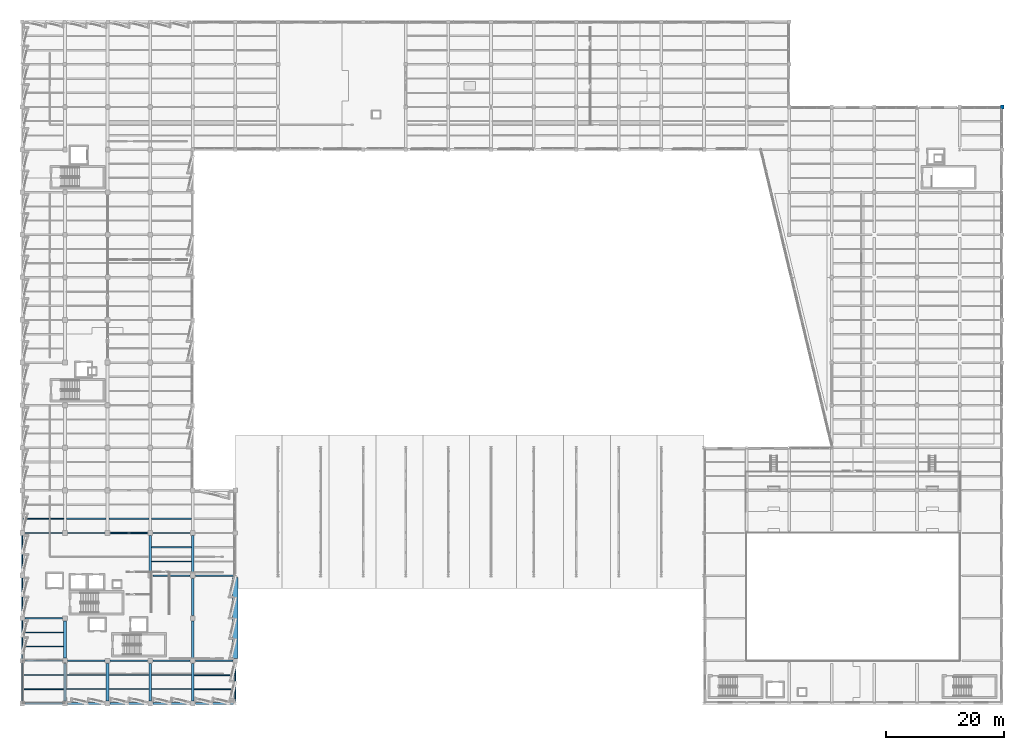
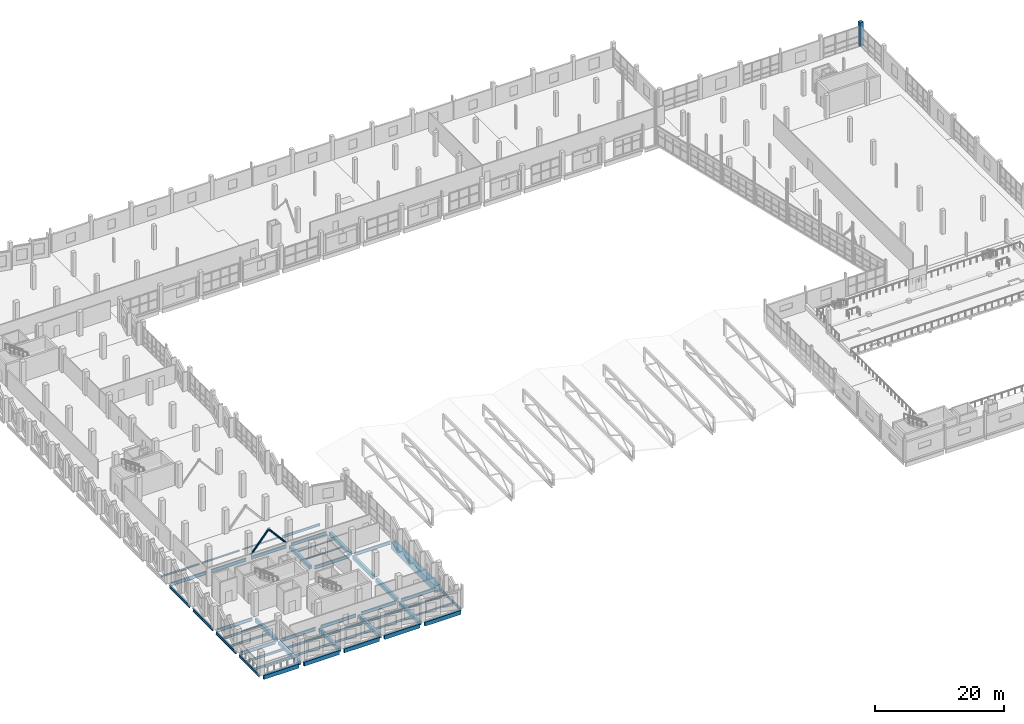
# One storey, part 25 of 123: 50 beams, 2 members, 1 column.
"""IFC4 building model written with IfcOpenShell, lengths in metres."""

from ifc_helpers import new_model, si_unit, direction, frame, origin, origin_2d, place, context, subcontext, project, spatial, rectangle, hollow_circle, i_section, extrude, material, material_profile, profile_set, type_object, element, save


model = new_model("IFC4")

# Units and contexts
model_context = context("Model", 3, precision=1e-05, world=origin(), true_north=direction((0.0, 1.0)))
body_context = subcontext(model_context, "Body", "Model", "MODEL_VIEW")
ifc_project = project(units=[si_unit("LENGTHUNIT", "METRE"), si_unit("AREAUNIT", "SQUARE_METRE"), si_unit("VOLUMEUNIT", "CUBIC_METRE"), si_unit("PLANEANGLEUNIT", "RADIAN"), si_unit("MASSUNIT", "GRAM", prefix="KILO")], contexts=[model_context])

# Site, building, storey
site_placement = place(None, origin())
site = spatial("IfcSite", under=ifc_project, at=site_placement, CompositionType="ELEMENT")
building_placement = place(site_placement, origin())
building = spatial("IfcBuilding", under=site, at=building_placement, Name="Kalmorath City Hall", CompositionType="ELEMENT")
storey_placement = place(building_placement, frame((0.0, 0.0, 10.199951171875)))
storey = spatial("IfcBuildingStorey", under=building, at=storey_placement, Name="L02", CompositionType="ELEMENT", Elevation=10.199951171875)

# Column
ifc_material_1 = material(Name="Concrete C50/60", Category="concrete")
ifc_material_profile_1 = material_profile(ifc_material_1, rectangle(XDim=0.60009765625, YDim=0.60009765625, at=origin_2d()), Name="RC-COL-600X600")
ifc_profile_set_1 = profile_set([ifc_material_profile_1], Name="Concrete C50/60")
column_type = type_object("IfcColumnType", Name="Concrete column 600x600", PredefinedType="COLUMN", material=ifc_profile_set_1)
column_placement = place(storey_placement, frame((165.60009765625, 100.800048828125, 0.0), z_axis=(0.0, 0.0, 1.0), x_axis=(1.0, 0.0, 0.0)))
element("IfcColumn", 1, at=column_placement, inside=storey, type_object=column_type, Name="L02 column C6 (24/15)", PredefinedType="COLUMN", context=body_context, shape_type="SweptSolid", body=[
    extrude(rectangle(XDim=0.60009765625, YDim=0.60009765625, at=origin_2d()), origin(), (0.0, 0.0, 1.0), 4.5),
])

# Beams
ifc_material_2 = material(Name="Concrete C40/50", Category="concrete")
ifc_material_profile_2 = material_profile(ifc_material_2, rectangle(XDim=0.449951171875, YDim=0.699951171875, at=origin_2d()), Name="RC-BM-450X700")
ifc_profile_set_2 = profile_set([ifc_material_profile_2], Name="Concrete C40/50")
beam_type_1 = type_object("IfcBeamType", Name="Concrete floor beam 450x700", PredefinedType="BEAM", material=ifc_profile_set_2)
for number, where, z_axis, x_axis, name in (
    (2, (7.199951171875, 0.449951171875, -0.634033203125), (0.0, 1.0, 0.0), (-1.0, 0.0, 0.0), "L02 girder CB4 Y2/1-2"),
    (3, (7.199951171875, 7.64990234375, -0.634033203125), (0.0, 1.0, 0.0), (-1.0, 0.0, 0.0), "L02 girder CB4 Y2/2-3"),
    (4, (14.39990234375, 0.449951171875, -0.634033203125), (0.0, 1.0, 0.0), (-1.0, 0.0, 0.0), "L02 girder CB4 Y3/1-2"),
    (5, (21.60009765625, 0.449951171875, -0.634033203125), (0.0, 1.0, 0.0), (-1.0, 0.0, 0.0), "L02 girder CB4 Y4/1-2"),
    (6, (21.60009765625, 22.050048828125, -0.634033203125), (0.0, 1.0, 0.0), (-1.0, 0.0, 0.0), "L02 girder CB4 Y4/4-5"),
    (7, (28.800048828125, 0.449951171875, -0.634033203125), (0.0, 1.0, 0.0), (-1.0, 0.0, 0.0), "L02 girder CB4 Y5/1-2"),
    (8, (28.800048828125, 7.64990234375, -0.634033203125), (0.0, 1.0, 0.0), (-1.0, 0.0, 0.0), "L02 girder CB4 Y5/2-3"),
):
    element("IfcBeam", number, at=place(storey_placement, frame(where, z_axis=z_axis, x_axis=x_axis)), inside=storey, type_object=beam_type_1, Name=name, PredefinedType="BEAM", context=body_context, shape_type="SweptSolid", body=[
        extrude(rectangle(XDim=0.449951171875, YDim=0.699951171875, at=origin_2d()), origin(), (0.0, 0.0, 1.0), 6.300048828125),
    ])
beam_1_placement = place(storey_placement, frame((28.800048828125, 14.85009765625, -0.634033203125), z_axis=(0.0, 1.0, 0.0), x_axis=(-1.0, 0.0, 0.0)))
element("IfcBeam", 9, at=beam_1_placement, inside=storey, type_object=beam_type_1, Name="L02 girder CB4 Y5/3-4", PredefinedType="BEAM", context=body_context, shape_type="SweptSolid", body=[
    extrude(rectangle(XDim=0.449951171875, YDim=0.699951171875, at=origin_2d()), origin(), (0.0, 0.0, 1.0), 6.2998046875),
])
beam_2_placement = place(storey_placement, frame((28.800048828125, 22.050048828125, -0.634033203125), z_axis=(0.0, 1.0, 0.0), x_axis=(-1.0, 0.0, 0.0)))
element("IfcBeam", 10, at=beam_2_placement, inside=storey, type_object=beam_type_1, Name="L02 girder CB4 Y5/4-5", PredefinedType="BEAM", context=body_context, shape_type="SweptSolid", body=[
    extrude(rectangle(XDim=0.449951171875, YDim=0.699951171875, at=origin_2d()), origin(), (0.0, 0.0, 1.0), 6.300048828125),
])
ifc_material_3 = material(Name="Concrete C50/60", Category="concrete")
ifc_material_profile_3 = material_profile(ifc_material_3, rectangle(XDim=0.89990234375, YDim=1.300048828125, at=origin_2d()), Name="RC-TG-900X1300")
ifc_profile_set_3 = profile_set([ifc_material_profile_3], Name="Concrete C50/60")
beam_type_2 = type_object("IfcBeamType", Name="Concrete transfer girder 900x1300", PredefinedType="BEAM", material=ifc_profile_set_3)
beam_3_placement = place(storey_placement, frame((36.0, 7.60009765625, -0.933837890625), z_axis=(0.0, 1.0, 0.0), x_axis=(-1.0, 0.0, 0.0)))
element("IfcBeam", 11, at=beam_3_placement, inside=storey, type_object=beam_type_2, Name="L02 girder TG1 Y6/2-4", PredefinedType="BEAM", context=body_context, shape_type="SweptSolid", body=[
    extrude(rectangle(XDim=0.89990234375, YDim=1.300048828125, at=origin_2d()), origin(), (0.0, 0.0, 1.0), 13.6748046875),
])
ifc_material_4 = material(Name="Precast concrete C40/50", Category="concrete")
ifc_material_profile_4 = material_profile(ifc_material_4, rectangle(XDim=0.35009765625, YDim=0.75, at=origin_2d()), Name="PC-SP-350X750")
ifc_profile_set_4 = profile_set([ifc_material_profile_4], Name="Precast concrete C40/50")
beam_type_3 = type_object("IfcBeamType", Name="Precast spandrel lintel 350x750", PredefinedType="LINTEL", material=ifc_profile_set_4)
for number, where, z_axis, x_axis, name in (
    (12, (0.449951171875, 0.0, -0.658935546875), (1.0, 0.0, 0.0), (0.0, 1.0, 0.0), "L02 girder PSB1 X1-2/1"),
    (13, (7.64990234375, 0.0, -0.658935546875), (1.0, 0.0, 0.0), (0.0, 1.0, 0.0), "L02 girder PSB1 X2-3/1"),
):
    element("IfcBeam", number, at=place(storey_placement, frame(where, z_axis=z_axis, x_axis=x_axis)), inside=storey, type_object=beam_type_3, Name=name, PredefinedType="LINTEL", context=body_context, shape_type="SweptSolid", body=[
        extrude(rectangle(XDim=0.35009765625, YDim=0.75, at=origin_2d()), origin(), (0.0, 0.0, 1.0), 6.300048828125),
    ])
beam_4_placement = place(storey_placement, frame((14.85009765625, 0.0, -0.658935546875), z_axis=(1.0, 0.0, 0.0), x_axis=(0.0, 1.0, 0.0)))
element("IfcBeam", 14, at=beam_4_placement, inside=storey, type_object=beam_type_3, Name="L02 girder PSB1 X3-4/1", PredefinedType="LINTEL", context=body_context, shape_type="SweptSolid", body=[
    extrude(rectangle(XDim=0.35009765625, YDim=0.75, at=origin_2d()), origin(), (0.0, 0.0, 1.0), 6.2998046875),
])
beam_5_placement = place(storey_placement, frame((22.050048828125, 0.0, -0.658935546875), z_axis=(1.0, 0.0, 0.0), x_axis=(0.0, 1.0, 0.0)))
element("IfcBeam", 15, at=beam_5_placement, inside=storey, type_object=beam_type_3, Name="L02 girder PSB1 X4-5/1", PredefinedType="LINTEL", context=body_context, shape_type="SweptSolid", body=[
    extrude(rectangle(XDim=0.35009765625, YDim=0.75, at=origin_2d()), origin(), (0.0, 0.0, 1.0), 6.300048828125),
])
beam_6_placement = place(storey_placement, frame((29.25, 0.0, -0.658935546875), z_axis=(1.0, 0.0, 0.0), x_axis=(0.0, 1.0, 0.0)))
element("IfcBeam", 16, at=beam_6_placement, inside=storey, type_object=beam_type_3, Name="L02 girder PSB1 X5-6/1", PredefinedType="LINTEL", context=body_context, shape_type="SweptSolid", body=[
    extrude(rectangle(XDim=0.35009765625, YDim=0.75, at=origin_2d()), origin(), (0.0, 0.0, 1.0), 6.425048828125),
])
ifc_material_5 = material(Name="Steel ASTM A992 Grade 50", Category="steel")
ifc_material_profile_5 = material_profile(ifc_material_5, i_section(OverallWidth=0.177001953125, OverallDepth=0.403076171875, WebThickness=0.007568359375, FlangeThickness=0.010986328125, FilletRadius=0.012939453125, at=origin_2d()), Name="W16X36")
ifc_profile_set_5 = profile_set([ifc_material_profile_5], Name="Steel ASTM A992 Grade 50")
beam_type_4 = type_object("IfcBeamType", Name="Steel composite joist W16X36", PredefinedType="JOIST", material=ifc_profile_set_5)
for number, where, z_axis, x_axis, name in (
    (17, (21.824951171875, 2.39990234375, -0.4853515625), (1.0, 0.0, 0.0), (0.0, 1.0, 0.0), "L02 joist SJ7 4.1.1"),
    (18, (21.824951171875, 4.800048828125, -0.4853515625), (1.0, 0.0, 0.0), (0.0, 1.0, 0.0), "L02 joist SJ7 4.1.2"),
):
    element("IfcBeam", number, at=place(storey_placement, frame(where, z_axis=z_axis, x_axis=x_axis)), inside=storey, type_object=beam_type_4, Name=name, PredefinedType="JOIST", context=body_context, shape_type="SweptSolid", body=[
        extrude(i_section(OverallWidth=0.177001953125, OverallDepth=0.403076171875, WebThickness=0.007568359375, FlangeThickness=0.010986328125, FilletRadius=0.012939453125, at=origin_2d()), origin(), (0.0, 0.0, 1.0), 6.75),
    ])
ifc_material_6 = material(Name="Steel ASTM A992 Grade 50", Category="steel")
ifc_material_profile_6 = material_profile(ifc_material_6, i_section(OverallWidth=0.178955078125, OverallDepth=0.409912109375, WebThickness=0.0087890625, FlangeThickness=0.014404296875, FilletRadius=0.012939453125, at=origin_2d()), Name="W16X45")
ifc_profile_set_6 = profile_set([ifc_material_profile_6], Name="Steel ASTM A992 Grade 50")
beam_type_5 = type_object("IfcBeamType", Name="Steel composite joist W16X45", PredefinedType="JOIST", material=ifc_profile_set_6)
for number, where, z_axis, x_axis, name in (
    (19, (14.625, 2.39990234375, -0.489013671875), (1.0, 0.0, 0.0), (0.0, 1.0, 0.0), "L02 joist SJ6 3.1.1"),
    (20, (14.625, 4.800048828125, -0.489013671875), (1.0, 0.0, 0.0), (0.0, 1.0, 0.0), "L02 joist SJ6 3.1.2"),
):
    element("IfcBeam", number, at=place(storey_placement, frame(where, z_axis=z_axis, x_axis=x_axis)), inside=storey, type_object=beam_type_5, Name=name, PredefinedType="JOIST", context=body_context, shape_type="SweptSolid", body=[
        extrude(i_section(OverallWidth=0.178955078125, OverallDepth=0.409912109375, WebThickness=0.0087890625, FlangeThickness=0.014404296875, FilletRadius=0.012939453125, at=origin_2d()), origin(), (0.0, 0.0, 1.0), 6.75),
    ])
ifc_material_7 = material(Name="Steel ASTM A992 Grade 50", Category="steel")
ifc_material_profile_7 = material_profile(ifc_material_7, i_section(OverallWidth=0.180908203125, OverallDepth=0.4169921875, WebThickness=0.010986328125, FlangeThickness=0.018310546875, FilletRadius=0.012939453125, at=origin_2d()), Name="W16X57")
ifc_profile_set_7 = profile_set([ifc_material_profile_7], Name="Steel ASTM A992 Grade 50")
beam_type_6 = type_object("IfcBeamType", Name="Steel composite joist W16X57", PredefinedType="JOIST", material=ifc_profile_set_7)
for number, where, z_axis, x_axis, name in (
    (21, (0.08251953125, 9.60009765625, -0.492431640625), (1.0, 0.0, 0.0), (0.0, 1.0, 0.0), "L02 joist SJ5 1.2.1"),
    (22, (0.08251953125, 12.0, -0.492431640625), (1.0, 0.0, 0.0), (0.0, 1.0, 0.0), "L02 joist SJ5 1.2.2"),
):
    element("IfcBeam", number, at=place(storey_placement, frame(where, z_axis=z_axis, x_axis=x_axis)), inside=storey, type_object=beam_type_6, Name=name, PredefinedType="JOIST", context=body_context, shape_type="SweptSolid", body=[
        extrude(i_section(OverallWidth=0.180908203125, OverallDepth=0.4169921875, WebThickness=0.010986328125, FlangeThickness=0.018310546875, FilletRadius=0.012939453125, at=origin_2d()), origin(), (0.0, 0.0, 1.0), 6.892578125),
    ])
for number, where, z_axis, x_axis, name in (
    (23, (7.425048828125, 2.39990234375, -0.492431640625), (1.0, 0.0, 0.0), (0.0, 1.0, 0.0), "L02 joist SJ5 2.1.1"),
    (24, (7.425048828125, 4.800048828125, -0.492431640625), (1.0, 0.0, 0.0), (0.0, 1.0, 0.0), "L02 joist SJ5 2.1.2"),
):
    element("IfcBeam", number, at=place(storey_placement, frame(where, z_axis=z_axis, x_axis=x_axis)), inside=storey, type_object=beam_type_6, Name=name, PredefinedType="JOIST", context=body_context, shape_type="SweptSolid", body=[
        extrude(i_section(OverallWidth=0.180908203125, OverallDepth=0.4169921875, WebThickness=0.010986328125, FlangeThickness=0.018310546875, FilletRadius=0.012939453125, at=origin_2d()), origin(), (0.0, 0.0, 1.0), 6.75),
    ])
ifc_material_8 = material(Name="Steel ASTM A992 Grade 50", Category="steel")
ifc_material_profile_8 = material_profile(ifc_material_8, i_section(OverallWidth=0.153076171875, OverallDepth=0.455078125, WebThickness=0.008056640625, FlangeThickness=0.01318359375, FilletRadius=0.013916015625, at=origin_2d()), Name="W18X40")
ifc_profile_set_8 = profile_set([ifc_material_profile_8], Name="Steel ASTM A992 Grade 50")
beam_type_7 = type_object("IfcBeamType", Name="Steel composite joist W18X40", PredefinedType="JOIST", material=ifc_profile_set_8)
for number, where, z_axis, x_axis, name in (
    (25, (0.08251953125, 2.39990234375, -0.511474609375), (1.0, 0.0, 0.0), (0.0, 1.0, 0.0), "L02 joist SJ4 1.1.1"),
    (26, (0.08251953125, 4.800048828125, -0.511474609375), (1.0, 0.0, 0.0), (0.0, 1.0, 0.0), "L02 joist SJ4 1.1.2"),
):
    element("IfcBeam", number, at=place(storey_placement, frame(where, z_axis=z_axis, x_axis=x_axis)), inside=storey, type_object=beam_type_7, Name=name, PredefinedType="JOIST", context=body_context, shape_type="SweptSolid", body=[
        extrude(i_section(OverallWidth=0.153076171875, OverallDepth=0.455078125, WebThickness=0.008056640625, FlangeThickness=0.01318359375, FilletRadius=0.013916015625, at=origin_2d()), origin(), (0.0, 0.0, 1.0), 6.892578125),
    ])
ifc_material_9 = material(Name="Steel ASTM A992 Grade 50", Category="steel")
ifc_material_profile_9 = material_profile(ifc_material_9, i_section(OverallWidth=0.193115234375, OverallDepth=0.466064453125, WebThickness=0.011474609375, FlangeThickness=0.01904296875, FilletRadius=0.013916015625, at=origin_2d()), Name="W18X65")
ifc_profile_set_9 = profile_set([ifc_material_profile_9], Name="Steel ASTM A992 Grade 50")
beam_type_8 = type_object("IfcBeamType", Name="Steel composite joist W18X65", PredefinedType="JOIST", material=ifc_profile_set_9)
beam_7_placement = place(storey_placement, frame((21.824951171875, 31.199951171875, -0.516845703125), z_axis=(1.0, 0.0, 0.0), x_axis=(0.0, 1.0, 0.0)))
element("IfcBeam", 27, at=beam_7_placement, inside=storey, type_object=beam_type_8, Name="L02 joist SJ1 4.5.1", PredefinedType="JOIST", context=body_context, shape_type="SweptSolid", body=[
    extrude(i_section(OverallWidth=0.193115234375, OverallDepth=0.466064453125, WebThickness=0.011474609375, FlangeThickness=0.01904296875, FilletRadius=0.013916015625, at=origin_2d()), origin(), (0.0, 0.0, 1.0), 6.75),
])
ifc_material_10 = material(Name="Steel ASTM A992 Grade 50", Category="steel")
ifc_material_profile_10 = material_profile(ifc_material_10, i_section(OverallWidth=0.202880859375, OverallDepth=0.202880859375, WebThickness=0.007080078125, FlangeThickness=0.010986328125, FilletRadius=0.010986328125, at=origin_2d()), Name="W8X31")
ifc_profile_set_10 = profile_set([ifc_material_profile_10], Name="Steel ASTM A992 Grade 50")
beam_type_9 = type_object("IfcBeamType", Name="Steel edge trimmer W8X31", PredefinedType="LINTEL", material=ifc_profile_set_10)
for number, where, z_axis, x_axis, name in (
    (28, (14.625, 31.199951171875, -0.385498046875), (1.0, 0.0, 0.0), (0.0, 1.0, 0.0), "L02 joist SJ16 3.5.1"),
    (29, (21.824951171875, 24.0, -0.385498046875), (1.0, 0.0, 0.0), (0.0, 1.0, 0.0), "L02 joist SJ16 4.4.1"),
    (30, (21.824951171875, 26.39990234375, -0.385498046875), (1.0, 0.0, 0.0), (0.0, 1.0, 0.0), "L02 joist SJ16 4.4.2"),
):
    element("IfcBeam", number, at=place(storey_placement, frame(where, z_axis=z_axis, x_axis=x_axis)), inside=storey, type_object=beam_type_9, Name=name, PredefinedType="LINTEL", context=body_context, shape_type="SweptSolid", body=[
        extrude(i_section(OverallWidth=0.202880859375, OverallDepth=0.202880859375, WebThickness=0.007080078125, FlangeThickness=0.010986328125, FilletRadius=0.010986328125, at=origin_2d()), origin(), (0.0, 0.0, 1.0), 6.75),
    ])
ifc_material_11 = material(Name="Steel ASTM A992 Grade 50", Category="steel")
ifc_material_profile_11 = material_profile(ifc_material_11, i_section(OverallWidth=0.22900390625, OverallDepth=0.612060546875, WebThickness=0.011962890625, FlangeThickness=0.01953125, FilletRadius=0.01611328125, at=origin_2d()), Name="W24X84")
ifc_profile_set_11 = profile_set([ifc_material_profile_11], Name="Steel ASTM A992 Grade 50")
beam_type_10 = type_object("IfcBeamType", Name="Steel floor girder W24X84", PredefinedType="BEAM", material=ifc_profile_set_11)
for number, where, z_axis, x_axis, name in (
    (31, (0.449951171875, 7.199951171875, -0.58984375), (1.0, 0.0, 0.0), (0.0, 1.0, 0.0), "L02 girder SG8 X1-2/2"),
    (32, (7.64990234375, 7.199951171875, -0.58984375), (1.0, 0.0, 0.0), (0.0, 1.0, 0.0), "L02 girder SG8 X2-3/2"),
):
    element("IfcBeam", number, at=place(storey_placement, frame(where, z_axis=z_axis, x_axis=x_axis)), inside=storey, type_object=beam_type_10, Name=name, PredefinedType="BEAM", context=body_context, shape_type="SweptSolid", body=[
        extrude(i_section(OverallWidth=0.22900390625, OverallDepth=0.612060546875, WebThickness=0.011962890625, FlangeThickness=0.01953125, FilletRadius=0.01611328125, at=origin_2d()), origin(), (0.0, 0.0, 1.0), 6.300048828125),
    ])
beam_8_placement = place(storey_placement, frame((14.85009765625, 7.199951171875, -0.58984375), z_axis=(1.0, 0.0, 0.0), x_axis=(0.0, 1.0, 0.0)))
element("IfcBeam", 33, at=beam_8_placement, inside=storey, type_object=beam_type_10, Name="L02 girder SG8 X3-4/2", PredefinedType="BEAM", context=body_context, shape_type="SweptSolid", body=[
    extrude(i_section(OverallWidth=0.22900390625, OverallDepth=0.612060546875, WebThickness=0.011962890625, FlangeThickness=0.01953125, FilletRadius=0.01611328125, at=origin_2d()), origin(), (0.0, 0.0, 1.0), 6.2998046875),
])
beam_9_placement = place(storey_placement, frame((22.050048828125, 7.199951171875, -0.58984375), z_axis=(1.0, 0.0, 0.0), x_axis=(0.0, 1.0, 0.0)))
element("IfcBeam", 34, at=beam_9_placement, inside=storey, type_object=beam_type_10, Name="L02 girder SG8 X4-5/2", PredefinedType="BEAM", context=body_context, shape_type="SweptSolid", body=[
    extrude(i_section(OverallWidth=0.22900390625, OverallDepth=0.612060546875, WebThickness=0.011962890625, FlangeThickness=0.01953125, FilletRadius=0.01611328125, at=origin_2d()), origin(), (0.0, 0.0, 1.0), 6.300048828125),
])
beam_10_placement = place(storey_placement, frame((29.25, 7.199951171875, -0.58984375), z_axis=(1.0, 0.0, 0.0), x_axis=(0.0, 1.0, 0.0)))
element("IfcBeam", 35, at=beam_10_placement, inside=storey, type_object=beam_type_10, Name="L02 girder SG8 X5-6/2", PredefinedType="BEAM", context=body_context, shape_type="SweptSolid", body=[
    extrude(i_section(OverallWidth=0.22900390625, OverallDepth=0.612060546875, WebThickness=0.011962890625, FlangeThickness=0.01953125, FilletRadius=0.01611328125, at=origin_2d()), origin(), (0.0, 0.0, 1.0), 6.35009765625),
])
for number, where, z_axis, x_axis, name in (
    (36, (0.449951171875, 14.39990234375, -0.58984375), (1.0, 0.0, 0.0), (0.0, 1.0, 0.0), "L02 girder SG8 X1-2/3"),
    (37, (22.050048828125, 21.60009765625, -0.58984375), (1.0, 0.0, 0.0), (0.0, 1.0, 0.0), "L02 girder SG8 X4-5/4"),
):
    element("IfcBeam", number, at=place(storey_placement, frame(where, z_axis=z_axis, x_axis=x_axis)), inside=storey, type_object=beam_type_10, Name=name, PredefinedType="BEAM", context=body_context, shape_type="SweptSolid", body=[
        extrude(i_section(OverallWidth=0.22900390625, OverallDepth=0.612060546875, WebThickness=0.011962890625, FlangeThickness=0.01953125, FilletRadius=0.01611328125, at=origin_2d()), origin(), (0.0, 0.0, 1.0), 6.300048828125),
    ])
beam_11_placement = place(storey_placement, frame((29.25, 21.60009765625, -0.58984375), z_axis=(1.0, 0.0, 0.0), x_axis=(0.0, 1.0, 0.0)))
element("IfcBeam", 38, at=beam_11_placement, inside=storey, type_object=beam_type_10, Name="L02 girder SG8 X5-6/4", PredefinedType="BEAM", context=body_context, shape_type="SweptSolid", body=[
    extrude(i_section(OverallWidth=0.22900390625, OverallDepth=0.612060546875, WebThickness=0.011962890625, FlangeThickness=0.01953125, FilletRadius=0.01611328125, at=origin_2d()), origin(), (0.0, 0.0, 1.0), 6.425048828125),
])
for number, where, z_axis, x_axis, name in (
    (39, (0.449951171875, 28.800048828125, -0.58984375), (1.0, 0.0, 0.0), (0.0, 1.0, 0.0), "L02 girder SG8 X1-2/5"),
    (40, (7.64990234375, 28.800048828125, -0.58984375), (1.0, 0.0, 0.0), (0.0, 1.0, 0.0), "L02 girder SG8 X2-3/5"),
):
    element("IfcBeam", number, at=place(storey_placement, frame(where, z_axis=z_axis, x_axis=x_axis)), inside=storey, type_object=beam_type_10, Name=name, PredefinedType="BEAM", context=body_context, shape_type="SweptSolid", body=[
        extrude(i_section(OverallWidth=0.22900390625, OverallDepth=0.612060546875, WebThickness=0.011962890625, FlangeThickness=0.01953125, FilletRadius=0.01611328125, at=origin_2d()), origin(), (0.0, 0.0, 1.0), 6.300048828125),
    ])
beam_12_placement = place(storey_placement, frame((14.85009765625, 28.800048828125, -0.58984375), z_axis=(1.0, 0.0, 0.0), x_axis=(0.0, 1.0, 0.0)))
element("IfcBeam", 41, at=beam_12_placement, inside=storey, type_object=beam_type_10, Name="L02 girder SG8 X3-4/5", PredefinedType="BEAM", context=body_context, shape_type="SweptSolid", body=[
    extrude(i_section(OverallWidth=0.22900390625, OverallDepth=0.612060546875, WebThickness=0.011962890625, FlangeThickness=0.01953125, FilletRadius=0.01611328125, at=origin_2d()), origin(), (0.0, 0.0, 1.0), 6.2998046875),
])
beam_13_placement = place(storey_placement, frame((22.050048828125, 28.800048828125, -0.58984375), z_axis=(1.0, 0.0, 0.0), x_axis=(0.0, 1.0, 0.0)))
element("IfcBeam", 42, at=beam_13_placement, inside=storey, type_object=beam_type_10, Name="L02 girder SG8 X4-5/5", PredefinedType="BEAM", context=body_context, shape_type="SweptSolid", body=[
    extrude(i_section(OverallWidth=0.22900390625, OverallDepth=0.612060546875, WebThickness=0.011962890625, FlangeThickness=0.01953125, FilletRadius=0.01611328125, at=origin_2d()), origin(), (0.0, 0.0, 1.0), 6.300048828125),
])
ifc_material_12 = material(Name="Steel ASTM A992 Grade 50", Category="steel")
ifc_material_profile_12 = material_profile(ifc_material_12, i_section(OverallWidth=0.1669921875, OverallDepth=0.318115234375, WebThickness=0.007568359375, FlangeThickness=0.01318359375, FilletRadius=0.012939453125, at=origin_2d()), Name="W12X35")
ifc_profile_set_12 = profile_set([ifc_material_profile_12], Name="Steel ASTM A992 Grade 50")
beam_type_11 = type_object("IfcBeamType", Name="Steel header lintel W12X35", PredefinedType="LINTEL", material=ifc_profile_set_12)
for number, where, z_axis, x_axis, name in (
    (43, (0.08251953125, 31.199951171875, -0.44287109375), (1.0, 0.0, 0.0), (0.0, 1.0, 0.0), "L02 joist SJ13 1.5.1"),
    (44, (29.02490234375, 2.39990234375, -0.44287109375), (1.0, 0.0, 0.0), (0.0, 1.0, 0.0), "L02 joist SJ13 5.1.1"),
    (45, (29.02490234375, 4.800048828125, -0.44287109375), (1.0, 0.0, 0.0), (0.0, 1.0, 0.0), "L02 joist SJ13 5.1.2"),
):
    element("IfcBeam", number, at=place(storey_placement, frame(where, z_axis=z_axis, x_axis=x_axis)), inside=storey, type_object=beam_type_11, Name=name, PredefinedType="LINTEL", context=body_context, shape_type="SweptSolid", body=[
        extrude(i_section(OverallWidth=0.1669921875, OverallDepth=0.318115234375, WebThickness=0.007568359375, FlangeThickness=0.01318359375, FilletRadius=0.012939453125, at=origin_2d()), origin(), (0.0, 0.0, 1.0), 6.892578125),
    ])
ifc_material_13 = material(Name="Steel ASTM A992 Grade 50", Category="steel")
ifc_material_profile_13 = material_profile(ifc_material_13, i_section(OverallWidth=0.1650390625, OverallDepth=0.52490234375, WebThickness=0.0087890625, FlangeThickness=0.011474609375, FilletRadius=0.014892578125, at=origin_2d()), Name="W21X44")
ifc_profile_set_13 = profile_set([ifc_material_profile_13], Name="Steel ASTM A992 Grade 50")
beam_type_12 = type_object("IfcBeamType", Name="Steel spandrel beam W21X44", PredefinedType="SPANDREL", material=ifc_profile_set_13)
for number, where, z_axis, x_axis, name in (
    (46, (0.0, 0.449951171875, -0.54638671875), (0.0, 1.0, 0.0), (-1.0, 0.0, 0.0), "L02 girder SB4 Y1/1-2"),
    (47, (0.0, 7.64990234375, -0.54638671875), (0.0, 1.0, 0.0), (-1.0, 0.0, 0.0), "L02 girder SB4 Y1/2-3"),
):
    element("IfcBeam", number, at=place(storey_placement, frame(where, z_axis=z_axis, x_axis=x_axis)), inside=storey, type_object=beam_type_12, Name=name, PredefinedType="SPANDREL", context=body_context, shape_type="SweptSolid", body=[
        extrude(i_section(OverallWidth=0.1650390625, OverallDepth=0.52490234375, WebThickness=0.0087890625, FlangeThickness=0.011474609375, FilletRadius=0.014892578125, at=origin_2d()), origin(), (0.0, 0.0, 1.0), 6.300048828125),
    ])
beam_14_placement = place(storey_placement, frame((0.0, 14.85009765625, -0.54638671875), z_axis=(0.0, 1.0, 0.0), x_axis=(-1.0, 0.0, 0.0)))
element("IfcBeam", 48, at=beam_14_placement, inside=storey, type_object=beam_type_12, Name="L02 girder SB4 Y1/3-4", PredefinedType="SPANDREL", context=body_context, shape_type="SweptSolid", body=[
    extrude(i_section(OverallWidth=0.1650390625, OverallDepth=0.52490234375, WebThickness=0.0087890625, FlangeThickness=0.011474609375, FilletRadius=0.014892578125, at=origin_2d()), origin(), (0.0, 0.0, 1.0), 6.2998046875),
])
beam_15_placement = place(storey_placement, frame((0.0, 22.050048828125, -0.54638671875), z_axis=(0.0, 1.0, 0.0), x_axis=(-1.0, 0.0, 0.0)))
element("IfcBeam", 49, at=beam_15_placement, inside=storey, type_object=beam_type_12, Name="L02 girder SB4 Y1/4-5", PredefinedType="SPANDREL", context=body_context, shape_type="SweptSolid", body=[
    extrude(i_section(OverallWidth=0.1650390625, OverallDepth=0.52490234375, WebThickness=0.0087890625, FlangeThickness=0.011474609375, FilletRadius=0.014892578125, at=origin_2d()), origin(), (0.0, 0.0, 1.0), 6.300048828125),
])
beam_16_placement = place(storey_placement, frame((36.0, 0.324951171875, -0.54638671875), z_axis=(0.0, 1.0, 0.0), x_axis=(-1.0, 0.0, 0.0)))
element("IfcBeam", 50, at=beam_16_placement, inside=storey, type_object=beam_type_12, Name="L02 girder SB4 Y6/1-2", PredefinedType="SPANDREL", context=body_context, shape_type="SweptSolid", body=[
    extrude(i_section(OverallWidth=0.1650390625, OverallDepth=0.52490234375, WebThickness=0.0087890625, FlangeThickness=0.011474609375, FilletRadius=0.014892578125, at=origin_2d()), origin(), (0.0, 0.0, 1.0), 6.47509765625),
])
ifc_material_14 = material(Name="Steel ASTM A992 Grade 50", Category="steel")
ifc_material_profile_14 = material_profile(ifc_material_14, i_section(OverallWidth=0.25390625, OverallDepth=0.2529296875, WebThickness=0.008544921875, FlangeThickness=0.01416015625, FilletRadius=0.011962890625, at=origin_2d()), Name="W10X49")
ifc_profile_set_14 = profile_set([ifc_material_profile_14], Name="Steel ASTM A992 Grade 50")
beam_type_13 = type_object("IfcBeamType", Name="Steel trimmer beam W10X49", PredefinedType="BEAM", material=ifc_profile_set_14)
beam_17_placement = place(storey_placement, frame((7.425048828125, 31.199951171875, -0.410400390625), z_axis=(1.0, 0.0, 0.0), x_axis=(0.0, 1.0, 0.0)))
element("IfcBeam", 51, at=beam_17_placement, inside=storey, type_object=beam_type_13, Name="L02 joist SJ14 2.5.1", PredefinedType="BEAM", context=body_context, shape_type="SweptSolid", body=[
    extrude(i_section(OverallWidth=0.25390625, OverallDepth=0.2529296875, WebThickness=0.008544921875, FlangeThickness=0.01416015625, FilletRadius=0.011962890625, at=origin_2d()), origin(), (0.0, 0.0, 1.0), 6.75),
])

# Members
ifc_material_15 = material(Name="Steel ASTM A500 Grade C", Category="steel")
ifc_material_profile_15 = material_profile(ifc_material_15, hollow_circle(Radius=0.162109375, WallThickness=0.01171875, at=origin_2d()), Name="HSS324X12.7")
ifc_profile_set_15 = profile_set([ifc_material_profile_15], Name="Steel ASTM A500 Grade C")
member_type = type_object("IfcMemberType", Name="Steel tubular strut HSS324X12.7", PredefinedType="BRACE", material=ifc_profile_set_15)
for number, where, z_axis, x_axis, name in (
    (52, (14.800048828125, 28.800048828125, 0.0), (0.650117130279, 0.0, 0.75983400616), (0.0, 1.0, 0.0), "L02 chevron brace BR5 1A"),
    (53, (21.199951171875, 28.800048828125, 0.0), (-0.650117130279, 0.0, 0.75983400616), (0.0, -1.0, 0.0), "L02 chevron brace BR5 1B"),
):
    element("IfcMember", number, at=place(storey_placement, frame(where, z_axis=z_axis, x_axis=x_axis)), inside=storey, type_object=member_type, Name=name, PredefinedType="BRACE", context=body_context, shape_type="SweptSolid", body=[
        extrude(hollow_circle(Radius=0.162109375, WallThickness=0.01171875, at=origin_2d()), origin(), (0.0, 0.0, 1.0), 4.922119140625),
    ])

save(model, "model.ifc")
